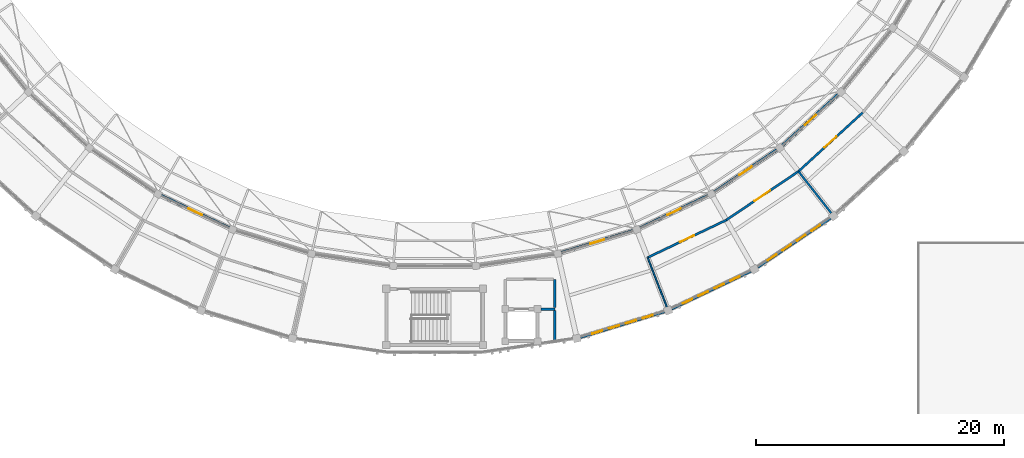
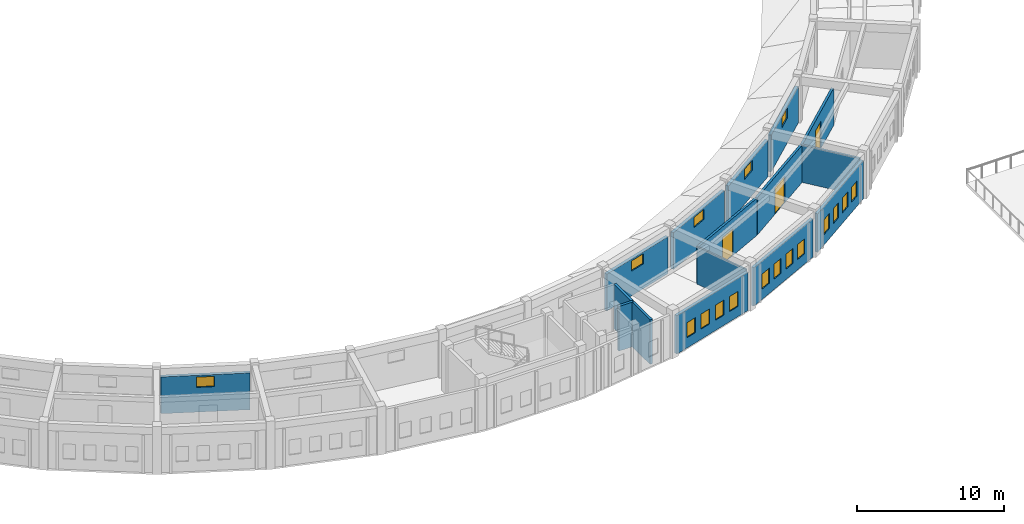
# One storey, part 81 of 112: 17 windows, 16 walls, 3 doors, 20 openings.
"""IFC4 building model written with IfcOpenShell, lengths in metres."""

from ifc_helpers import new_model, si_unit, direction, frame, frame_2d, origin, place, context, subcontext, project, spatial, rectangle, extrude, material, layer, layer_set, type_object, element, fill, save


model = new_model("IFC4")

# Units and contexts
model_context = context("Model", 3, precision=1e-05, world=origin(), true_north=direction((0.0, 1.0)))
body_context = subcontext(model_context, "Body", "Model", "MODEL_VIEW")
ifc_project = project(units=[si_unit("LENGTHUNIT", "METRE"), si_unit("AREAUNIT", "SQUARE_METRE"), si_unit("VOLUMEUNIT", "CUBIC_METRE"), si_unit("PLANEANGLEUNIT", "RADIAN"), si_unit("MASSUNIT", "GRAM", prefix="KILO")], contexts=[model_context])

# Site, building, storey
site_placement = place(None, origin())
site = spatial("IfcSite", under=ifc_project, at=site_placement, CompositionType="ELEMENT")
building_placement = place(site_placement, origin())
building = spatial("IfcBuilding", under=site, at=building_placement, Name="Celadon Cloister-Ring School", CompositionType="ELEMENT")
storey_placement = place(building_placement, frame((0.0, 0.0, 8.5)))
storey = spatial("IfcBuildingStorey", under=building, at=storey_placement, Name="L02", CompositionType="ELEMENT", Elevation=8.5)

# Wall, opening, window
ifc_material_1 = material(Name="Rendered concrete blockwork", Category="masonry")
ifc_layer_1 = layer(ifc_material_1, 0.239990234375)
ifc_layer_set_1 = layer_set([ifc_layer_1], Name="Rendered concrete blockwork")
wall_type_1 = type_object("IfcWallType", Name="WT-EX3", PredefinedType="SOLIDWALL", material=ifc_layer_set_1)
wall_1_placement = place(storey_placement, frame((64.93896484375, 19.802978515625, 0.0), z_axis=(0.0, 0.0, 1.0), x_axis=(0.90260559719, -0.430468507467, 0.0)))
wall_1 = element("IfcWall", 1, at=wall_1_placement, inside=storey, type_object=wall_type_1, Name="Exterior Wall 0131", PredefinedType="SOLIDWALL", context=body_context, shape_type="SweptSolid", body=[
    extrude(rectangle(XDim=6.093505859375, YDim=0.239990234375, at=frame_2d((3.046875, 0.0))), origin(), (0.0, 0.0, 1.0), 3.050048828125),
])
opening_1_placement = place(wall_1_placement, frame((2.447021484375, 0.0, 2.050048828125)))
opening_1 = element("IfcOpeningElement", 2, at=opening_1_placement, cuts=wall_1, Name="Opening WN-49", PredefinedType="OPENING", context=body_context, shape_type="SweptSolid", body=[
    extrude(rectangle(XDim=1.199951171875, YDim=0.85009765625, at=frame_2d((0.60009765625, 0.425048828125))), frame((0.0, 0.1298828125, 0.0), z_axis=(0.0, -1.0, 0.0), x_axis=(1.0, 0.0, 0.0)), (0.0, 0.0, 1.0), 0.260009765625),
])
ifc_material_2 = material(Name="Tempered laminated insulating glass", Category="glass")
window_type_1 = type_object("IfcWindowType", Name="WN-49", PartitioningType="SINGLE_PANEL", PredefinedType="WINDOW", material=ifc_material_2)
window_1_placement = place(opening_1_placement, origin())
window_1 = element("IfcWindow", 3, at=window_1_placement, inside=storey, type_object=window_type_1, Name="Window 0345", OverallHeight=0.85009765625, OverallWidth=1.199951171875, PartitioningType="SINGLE_PANEL", PredefinedType="WINDOW", context=body_context, shape_type="SweptSolid", body=[
    extrude(rectangle(XDim=1.199951171875, YDim=0.85009765625, at=frame_2d((0.60009765625, 0.425048828125))), frame((0.0, 0.030029296875, 0.0), z_axis=(0.0, -1.0, 0.0), x_axis=(1.0, 0.0, 0.0)), (0.0, 0.0, 1.0), 0.06005859375),
])
fill(opening_1, window_1)

wall_2_placement = place(storey_placement, frame((97.200927734375, 15.193115234375, 0.0), z_axis=(0.0, 0.0, 1.0), x_axis=(0.956385158861, 0.292108589245, 0.0)))
wall_2 = element("IfcWall", 4, at=wall_2_placement, inside=storey, type_object=wall_type_1, Name="Exterior Wall 0141", PredefinedType="SOLIDWALL", context=body_context, shape_type="SweptSolid", body=[
    extrude(rectangle(XDim=6.0927734375, YDim=0.239990234375, at=frame_2d((3.04638671875, 0.0))), origin(), (0.0, 0.0, 1.0), 3.050048828125),
])
opening_2_placement = place(wall_2_placement, frame((2.446044921875, 0.0, 2.050048828125)))
opening_2 = element("IfcOpeningElement", 5, at=opening_2_placement, cuts=wall_2, Name="Opening WN-49", PredefinedType="OPENING", context=body_context, shape_type="SweptSolid", body=[
    extrude(rectangle(XDim=1.199951171875, YDim=0.85009765625, at=frame_2d((0.60009765625, 0.425048828125))), frame((0.0, 0.1298828125, 0.0), z_axis=(0.0, -1.0, 0.0), x_axis=(1.0, 0.0, 0.0)), (0.0, 0.0, 1.0), 0.260009765625),
])
window_2_placement = place(opening_2_placement, origin())
window_2 = element("IfcWindow", 6, at=window_2_placement, inside=storey, type_object=window_type_1, Name="Window 0368", OverallHeight=0.85009765625, OverallWidth=1.199951171875, PartitioningType="SINGLE_PANEL", PredefinedType="WINDOW", context=body_context, shape_type="SweptSolid", body=[
    extrude(rectangle(XDim=1.199951171875, YDim=0.85009765625, at=frame_2d((0.60009765625, 0.425048828125))), frame((0.0, 0.030029296875, 0.0), z_axis=(0.0, -1.0, 0.0), x_axis=(1.0, 0.0, 0.0)), (0.0, 0.0, 1.0), 0.06005859375),
])
fill(opening_2, window_2)

wall_3_placement = place(storey_placement, frame((103.56103515625, 17.179931640625, 0.0), z_axis=(0.0, 0.0, 1.0), x_axis=(0.90260559719, 0.430468507467, 0.0)))
wall_3 = element("IfcWall", 7, at=wall_3_placement, inside=storey, type_object=wall_type_1, Name="Exterior Wall 0143", PredefinedType="SOLIDWALL", context=body_context, shape_type="SweptSolid", body=[
    extrude(rectangle(XDim=6.093505859375, YDim=0.239990234375, at=frame_2d((3.046875, 0.0))), origin(), (0.0, 0.0, 1.0), 3.050048828125),
])
opening_3_placement = place(wall_3_placement, frame((2.447021484375, 0.0, 2.050048828125)))
opening_3 = element("IfcOpeningElement", 8, at=opening_3_placement, cuts=wall_3, Name="Opening WN-49", PredefinedType="OPENING", context=body_context, shape_type="SweptSolid", body=[
    extrude(rectangle(XDim=1.199951171875, YDim=0.85009765625, at=frame_2d((0.60009765625, 0.425048828125))), frame((0.0, 0.1298828125, 0.0), z_axis=(0.0, -1.0, 0.0), x_axis=(1.0, 0.0, 0.0)), (0.0, 0.0, 1.0), 0.260009765625),
])
window_3_placement = place(opening_3_placement, origin())
window_3 = element("IfcWindow", 9, at=window_3_placement, inside=storey, type_object=window_type_1, Name="Window 0373", OverallHeight=0.85009765625, OverallWidth=1.199951171875, PartitioningType="SINGLE_PANEL", PredefinedType="WINDOW", context=body_context, shape_type="SweptSolid", body=[
    extrude(rectangle(XDim=1.199951171875, YDim=0.85009765625, at=frame_2d((0.60009765625, 0.425048828125))), frame((0.0, 0.030029296875, 0.0), z_axis=(0.0, -1.0, 0.0), x_axis=(1.0, 0.0, 0.0)), (0.0, 0.0, 1.0), 0.06005859375),
])
fill(opening_3, window_3)

wall_4_placement = place(storey_placement, frame((109.55810546875, 20.0859375, 0.0), z_axis=(0.0, 0.0, 1.0), x_axis=(0.829160241858, 0.559010995707, 0.0)))
wall_4 = element("IfcWall", 10, at=wall_4_placement, inside=storey, type_object=wall_type_1, Name="Exterior Wall 0145", PredefinedType="SOLIDWALL", context=body_context, shape_type="SweptSolid", body=[
    extrude(rectangle(XDim=6.093017578125, YDim=0.239990234375, at=frame_2d((3.04638671875, 0.0))), origin(), (0.0, 0.0, 1.0), 3.050048828125),
])
opening_4_placement = place(wall_4_placement, frame((2.446044921875, 0.0, 2.050048828125)))
opening_4 = element("IfcOpeningElement", 11, at=opening_4_placement, cuts=wall_4, Name="Opening WN-49", PredefinedType="OPENING", context=body_context, shape_type="SweptSolid", body=[
    extrude(rectangle(XDim=1.199951171875, YDim=0.85009765625, at=frame_2d((0.60009765625, 0.425048828125))), frame((0.0, 0.1298828125, 0.0), z_axis=(0.0, -1.0, 0.0), x_axis=(1.0, 0.0, 0.0)), (0.0, 0.0, 1.0), 0.260009765625),
])
window_4_placement = place(opening_4_placement, origin())
window_4 = element("IfcWindow", 12, at=window_4_placement, inside=storey, type_object=window_type_1, Name="Window 0378", OverallHeight=0.85009765625, OverallWidth=1.199951171875, PartitioningType="SINGLE_PANEL", PredefinedType="WINDOW", context=body_context, shape_type="SweptSolid", body=[
    extrude(rectangle(XDim=1.199951171875, YDim=0.85009765625, at=frame_2d((0.60009765625, 0.425048828125))), frame((0.0, 0.030029296875, 0.0), z_axis=(0.0, -1.0, 0.0), x_axis=(1.0, 0.0, 0.0)), (0.0, 0.0, 1.0), 0.06005859375),
])
fill(opening_4, window_4)

wall_5_placement = place(storey_placement, frame((115.05908203125, 23.845947265625, 0.0), z_axis=(0.0, 0.0, 1.0), x_axis=(0.737667839015, 0.675163801816, 0.0)))
wall_5 = element("IfcWall", 13, at=wall_5_placement, inside=storey, type_object=wall_type_1, Name="Exterior Wall 0147", PredefinedType="SOLIDWALL", context=body_context, shape_type="SweptSolid", body=[
    extrude(rectangle(XDim=6.09326171875, YDim=0.239990234375, at=frame_2d((3.046630859375, 0.0))), origin(), (0.0, 0.0, 1.0), 3.050048828125),
])
opening_5_placement = place(wall_5_placement, frame((2.447021484375, 0.0, 2.050048828125)))
opening_5 = element("IfcOpeningElement", 14, at=opening_5_placement, cuts=wall_5, Name="Opening WN-49", PredefinedType="OPENING", context=body_context, shape_type="SweptSolid", body=[
    extrude(rectangle(XDim=1.199951171875, YDim=0.85009765625, at=frame_2d((0.60009765625, 0.425048828125))), frame((0.0, 0.1298828125, 0.0), z_axis=(0.0, -1.0, 0.0), x_axis=(1.0, 0.0, 0.0)), (0.0, 0.0, 1.0), 0.260009765625),
])
window_5_placement = place(opening_5_placement, origin())
window_5 = element("IfcWindow", 15, at=window_5_placement, inside=storey, type_object=window_type_1, Name="Window 0383", OverallHeight=0.85009765625, OverallWidth=1.199951171875, PartitioningType="SINGLE_PANEL", PredefinedType="WINDOW", context=body_context, shape_type="SweptSolid", body=[
    extrude(rectangle(XDim=1.199951171875, YDim=0.85009765625, at=frame_2d((0.60009765625, 0.425048828125))), frame((0.0, 0.030029296875, 0.0), z_axis=(0.0, -1.0, 0.0), x_axis=(1.0, 0.0, 0.0)), (0.0, 0.0, 1.0), 0.06005859375),
])
fill(opening_5, window_5)

# Wall, openings, windows
ifc_material_3 = material(Name="Perforated terracotta clay brick masonry", Category="masonry")
ifc_layer_2 = layer(ifc_material_3, 0.219970703125)
ifc_layer_set_2 = layer_set([ifc_layer_2], Name="Perforated terracotta clay brick masonry")
wall_type_2 = type_object("IfcWallType", Name="WT-EX4", PredefinedType="SOLIDWALL", material=ifc_layer_set_2)
wall_6_placement = place(storey_placement, frame((105.541015625, 10.44091796875, 0.0), z_axis=(0.0, 0.0, 1.0), x_axis=(-0.956377793717, -0.292132702183, 0.0)))
wall_6 = element("IfcWall", 16, at=wall_6_placement, inside=storey, type_object=wall_type_2, Name="Exterior Wall 0140", PredefinedType="SOLIDWALL", context=body_context, shape_type="SweptSolid", body=[
    extrude(rectangle(XDim=7.081787109375, YDim=0.219970703125, at=frame_2d((3.541015625, 0.0))), origin(), (0.0, 0.0, 1.0), 3.19189453125),
])
opening_6_placement = place(wall_6_placement, frame((0.990966796875, 0.0, 0.85009765625)))
opening_6 = element("IfcOpeningElement", 17, at=opening_6_placement, cuts=wall_6, Name="Opening WN-11", PredefinedType="OPENING", context=body_context, shape_type="SweptSolid", body=[
    extrude(rectangle(XDim=0.85009765625, YDim=1.25, at=frame_2d((0.425048828125, 0.625))), frame((0.0, 0.1201171875, 0.0), z_axis=(0.0, -1.0, 0.0), x_axis=(1.0, 0.0, 0.0)), (0.0, 0.0, 1.0), 0.239990234375),
])
opening_7_placement = place(wall_6_placement, frame((2.407958984375, 0.0, 0.85009765625)))
opening_7 = element("IfcOpeningElement", 18, at=opening_7_placement, cuts=wall_6, Name="Opening WN-11", PredefinedType="OPENING", context=body_context, shape_type="SweptSolid", body=[
    extrude(rectangle(XDim=0.85009765625, YDim=1.25, at=frame_2d((0.425048828125, 0.625))), frame((0.0, 0.1201171875, 0.0), z_axis=(0.0, -1.0, 0.0), x_axis=(1.0, 0.0, 0.0)), (0.0, 0.0, 1.0), 0.239990234375),
])
opening_8_placement = place(wall_6_placement, frame((3.823974609375, 0.0, 0.85009765625)))
opening_8 = element("IfcOpeningElement", 19, at=opening_8_placement, cuts=wall_6, Name="Opening WN-11", PredefinedType="OPENING", context=body_context, shape_type="SweptSolid", body=[
    extrude(rectangle(XDim=0.85009765625, YDim=1.25, at=frame_2d((0.425048828125, 0.625))), frame((0.0, 0.1201171875, 0.0), z_axis=(0.0, -1.0, 0.0), x_axis=(1.0, 0.0, 0.0)), (0.0, 0.0, 1.0), 0.239990234375),
])
opening_9_placement = place(wall_6_placement, frame((5.240966796875, 0.0, 0.85009765625)))
opening_9 = element("IfcOpeningElement", 20, at=opening_9_placement, cuts=wall_6, Name="Opening WN-11", PredefinedType="OPENING", context=body_context, shape_type="SweptSolid", body=[
    extrude(rectangle(XDim=0.85009765625, YDim=1.25, at=frame_2d((0.425048828125, 0.625))), frame((0.0, 0.1201171875, 0.0), z_axis=(0.0, -1.0, 0.0), x_axis=(1.0, 0.0, 0.0)), (0.0, 0.0, 1.0), 0.239990234375),
])
ifc_material_4 = material(Name="Tempered laminated insulating glass", Category="glass")
window_type_2 = type_object("IfcWindowType", Name="WN-11", PartitioningType="SINGLE_PANEL", PredefinedType="WINDOW", material=ifc_material_4)
window_6_placement = place(opening_6_placement, origin())
window_6 = element("IfcWindow", 21, at=window_6_placement, inside=storey, type_object=window_type_2, Name="Window 0364", OverallHeight=1.25, OverallWidth=0.85009765625, PartitioningType="SINGLE_PANEL", PredefinedType="WINDOW", context=body_context, shape_type="SweptSolid", body=[
    extrude(rectangle(XDim=0.85009765625, YDim=1.25, at=frame_2d((0.425048828125, 0.625))), frame((0.0, 0.030029296875, 0.0), z_axis=(0.0, -1.0, 0.0), x_axis=(1.0, 0.0, 0.0)), (0.0, 0.0, 1.0), 0.06005859375),
])
fill(opening_6, window_6)
window_7_placement = place(opening_7_placement, origin())
window_7 = element("IfcWindow", 22, at=window_7_placement, inside=storey, type_object=window_type_2, Name="Window 0365", OverallHeight=1.25, OverallWidth=0.85009765625, PartitioningType="SINGLE_PANEL", PredefinedType="WINDOW", context=body_context, shape_type="SweptSolid", body=[
    extrude(rectangle(XDim=0.85009765625, YDim=1.25, at=frame_2d((0.425048828125, 0.625))), frame((0.0, 0.030029296875, 0.0), z_axis=(0.0, -1.0, 0.0), x_axis=(1.0, 0.0, 0.0)), (0.0, 0.0, 1.0), 0.06005859375),
])
fill(opening_7, window_7)
window_8_placement = place(opening_8_placement, origin())
window_8 = element("IfcWindow", 23, at=window_8_placement, inside=storey, type_object=window_type_2, Name="Window 0366", OverallHeight=1.25, OverallWidth=0.85009765625, PartitioningType="SINGLE_PANEL", PredefinedType="WINDOW", context=body_context, shape_type="SweptSolid", body=[
    extrude(rectangle(XDim=0.85009765625, YDim=1.25, at=frame_2d((0.425048828125, 0.625))), frame((0.0, 0.030029296875, 0.0), z_axis=(0.0, -1.0, 0.0), x_axis=(1.0, 0.0, 0.0)), (0.0, 0.0, 1.0), 0.06005859375),
])
fill(opening_8, window_8)
window_9_placement = place(opening_9_placement, origin())
window_9 = element("IfcWindow", 24, at=window_9_placement, inside=storey, type_object=window_type_2, Name="Window 0367", OverallHeight=1.25, OverallWidth=0.85009765625, PartitioningType="SINGLE_PANEL", PredefinedType="WINDOW", context=body_context, shape_type="SweptSolid", body=[
    extrude(rectangle(XDim=0.85009765625, YDim=1.25, at=frame_2d((0.425048828125, 0.625))), frame((0.0, 0.030029296875, 0.0), z_axis=(0.0, -1.0, 0.0), x_axis=(1.0, 0.0, 0.0)), (0.0, 0.0, 1.0), 0.06005859375),
])
fill(opening_9, window_9)

wall_7_placement = place(storey_placement, frame((112.510986328125, 13.712890625, 0.0), z_axis=(0.0, 0.0, 1.0), x_axis=(-0.902694754948, -0.430281511792, 0.0)))
wall_7 = element("IfcWall", 25, at=wall_7_placement, inside=storey, type_object=wall_type_2, Name="Exterior Wall 0142", PredefinedType="SOLIDWALL", context=body_context, shape_type="SweptSolid", body=[
    extrude(rectangle(XDim=7.0810546875, YDim=0.219970703125, at=frame_2d((3.54052734375, 0.0))), origin(), (0.0, 0.0, 1.0), 3.19189453125),
])
opening_10_placement = place(wall_7_placement, frame((0.990966796875, 0.0, 0.85009765625)))
opening_10 = element("IfcOpeningElement", 26, at=opening_10_placement, cuts=wall_7, Name="Opening WN-11", PredefinedType="OPENING", context=body_context, shape_type="SweptSolid", body=[
    extrude(rectangle(XDim=0.85009765625, YDim=1.25, at=frame_2d((0.425048828125, 0.625))), frame((0.0, 0.1201171875, 0.0), z_axis=(0.0, -1.0, 0.0), x_axis=(1.0, 0.0, 0.0)), (0.0, 0.0, 1.0), 0.239990234375),
])
opening_11_placement = place(wall_7_placement, frame((2.406982421875, 0.0, 0.85009765625)))
opening_11 = element("IfcOpeningElement", 27, at=opening_11_placement, cuts=wall_7, Name="Opening WN-11", PredefinedType="OPENING", context=body_context, shape_type="SweptSolid", body=[
    extrude(rectangle(XDim=0.85009765625, YDim=1.25, at=frame_2d((0.425048828125, 0.625))), frame((0.0, 0.1201171875, 0.0), z_axis=(0.0, -1.0, 0.0), x_axis=(1.0, 0.0, 0.0)), (0.0, 0.0, 1.0), 0.239990234375),
])
opening_12_placement = place(wall_7_placement, frame((3.823974609375, 0.0, 0.85009765625)))
opening_12 = element("IfcOpeningElement", 28, at=opening_12_placement, cuts=wall_7, Name="Opening WN-11", PredefinedType="OPENING", context=body_context, shape_type="SweptSolid", body=[
    extrude(rectangle(XDim=0.85009765625, YDim=1.25, at=frame_2d((0.425048828125, 0.625))), frame((0.0, 0.1201171875, 0.0), z_axis=(0.0, -1.0, 0.0), x_axis=(1.0, 0.0, 0.0)), (0.0, 0.0, 1.0), 0.239990234375),
])
opening_13_placement = place(wall_7_placement, frame((5.239990234375, 0.0, 0.85009765625)))
opening_13 = element("IfcOpeningElement", 29, at=opening_13_placement, cuts=wall_7, Name="Opening WN-11", PredefinedType="OPENING", context=body_context, shape_type="SweptSolid", body=[
    extrude(rectangle(XDim=0.85009765625, YDim=1.25, at=frame_2d((0.425048828125, 0.625))), frame((0.0, 0.1201171875, 0.0), z_axis=(0.0, -1.0, 0.0), x_axis=(1.0, 0.0, 0.0)), (0.0, 0.0, 1.0), 0.239990234375),
])
window_10_placement = place(opening_10_placement, origin())
window_10 = element("IfcWindow", 30, at=window_10_placement, inside=storey, type_object=window_type_2, Name="Window 0369", OverallHeight=1.25, OverallWidth=0.85009765625, PartitioningType="SINGLE_PANEL", PredefinedType="WINDOW", context=body_context, shape_type="SweptSolid", body=[
    extrude(rectangle(XDim=0.85009765625, YDim=1.25, at=frame_2d((0.425048828125, 0.625))), frame((0.0, 0.030029296875, 0.0), z_axis=(0.0, -1.0, 0.0), x_axis=(1.0, 0.0, 0.0)), (0.0, 0.0, 1.0), 0.06005859375),
])
fill(opening_10, window_10)
window_11_placement = place(opening_11_placement, origin())
window_11 = element("IfcWindow", 31, at=window_11_placement, inside=storey, type_object=window_type_2, Name="Window 0370", OverallHeight=1.25, OverallWidth=0.85009765625, PartitioningType="SINGLE_PANEL", PredefinedType="WINDOW", context=body_context, shape_type="SweptSolid", body=[
    extrude(rectangle(XDim=0.85009765625, YDim=1.25, at=frame_2d((0.425048828125, 0.625))), frame((0.0, 0.030029296875, 0.0), z_axis=(0.0, -1.0, 0.0), x_axis=(1.0, 0.0, 0.0)), (0.0, 0.0, 1.0), 0.06005859375),
])
fill(opening_11, window_11)
window_12_placement = place(opening_12_placement, origin())
window_12 = element("IfcWindow", 32, at=window_12_placement, inside=storey, type_object=window_type_2, Name="Window 0371", OverallHeight=1.25, OverallWidth=0.85009765625, PartitioningType="SINGLE_PANEL", PredefinedType="WINDOW", context=body_context, shape_type="SweptSolid", body=[
    extrude(rectangle(XDim=0.85009765625, YDim=1.25, at=frame_2d((0.425048828125, 0.625))), frame((0.0, 0.030029296875, 0.0), z_axis=(0.0, -1.0, 0.0), x_axis=(1.0, 0.0, 0.0)), (0.0, 0.0, 1.0), 0.06005859375),
])
fill(opening_12, window_12)
window_13_placement = place(opening_13_placement, origin())
window_13 = element("IfcWindow", 33, at=window_13_placement, inside=storey, type_object=window_type_2, Name="Window 0372", OverallHeight=1.25, OverallWidth=0.85009765625, PartitioningType="SINGLE_PANEL", PredefinedType="WINDOW", context=body_context, shape_type="SweptSolid", body=[
    extrude(rectangle(XDim=0.85009765625, YDim=1.25, at=frame_2d((0.425048828125, 0.625))), frame((0.0, 0.030029296875, 0.0), z_axis=(0.0, -1.0, 0.0), x_axis=(1.0, 0.0, 0.0)), (0.0, 0.0, 1.0), 0.06005859375),
])
fill(opening_13, window_13)

wall_8_placement = place(storey_placement, frame((118.922119140625, 17.97900390625, 0.0), z_axis=(0.0, 0.0, 1.0), x_axis=(-0.829217797208, -0.558925616512, 0.0)))
wall_8 = element("IfcWall", 34, at=wall_8_placement, inside=storey, type_object=wall_type_2, Name="Exterior Wall 0144", PredefinedType="SOLIDWALL", context=body_context, shape_type="SweptSolid", body=[
    extrude(rectangle(XDim=7.08154296875, YDim=0.219970703125, at=frame_2d((3.540771484375, 0.0))), origin(), (0.0, 0.0, 1.0), 3.19189453125),
])
opening_14_placement = place(wall_8_placement, frame((0.990966796875, 0.0, 0.85009765625)))
opening_14 = element("IfcOpeningElement", 35, at=opening_14_placement, cuts=wall_8, Name="Opening WN-11", PredefinedType="OPENING", context=body_context, shape_type="SweptSolid", body=[
    extrude(rectangle(XDim=0.85009765625, YDim=1.25, at=frame_2d((0.425048828125, 0.625))), frame((0.0, 0.1201171875, 0.0), z_axis=(0.0, -1.0, 0.0), x_axis=(1.0, 0.0, 0.0)), (0.0, 0.0, 1.0), 0.239990234375),
])
opening_15_placement = place(wall_8_placement, frame((2.407958984375, 0.0, 0.85009765625)))
opening_15 = element("IfcOpeningElement", 36, at=opening_15_placement, cuts=wall_8, Name="Opening WN-11", PredefinedType="OPENING", context=body_context, shape_type="SweptSolid", body=[
    extrude(rectangle(XDim=0.85009765625, YDim=1.25, at=frame_2d((0.425048828125, 0.625))), frame((0.0, 0.1201171875, 0.0), z_axis=(0.0, -1.0, 0.0), x_axis=(1.0, 0.0, 0.0)), (0.0, 0.0, 1.0), 0.239990234375),
])
opening_16_placement = place(wall_8_placement, frame((3.823974609375, 0.0, 0.85009765625)))
opening_16 = element("IfcOpeningElement", 37, at=opening_16_placement, cuts=wall_8, Name="Opening WN-11", PredefinedType="OPENING", context=body_context, shape_type="SweptSolid", body=[
    extrude(rectangle(XDim=0.85009765625, YDim=1.25, at=frame_2d((0.425048828125, 0.625))), frame((0.0, 0.1201171875, 0.0), z_axis=(0.0, -1.0, 0.0), x_axis=(1.0, 0.0, 0.0)), (0.0, 0.0, 1.0), 0.239990234375),
])
opening_17_placement = place(wall_8_placement, frame((5.239990234375, 0.0, 0.85009765625)))
opening_17 = element("IfcOpeningElement", 38, at=opening_17_placement, cuts=wall_8, Name="Opening WN-11", PredefinedType="OPENING", context=body_context, shape_type="SweptSolid", body=[
    extrude(rectangle(XDim=0.85009765625, YDim=1.25, at=frame_2d((0.425048828125, 0.625))), frame((0.0, 0.1201171875, 0.0), z_axis=(0.0, -1.0, 0.0), x_axis=(1.0, 0.0, 0.0)), (0.0, 0.0, 1.0), 0.239990234375),
])
window_14_placement = place(opening_14_placement, origin())
window_14 = element("IfcWindow", 39, at=window_14_placement, inside=storey, type_object=window_type_2, Name="Window 0374", OverallHeight=1.25, OverallWidth=0.85009765625, PartitioningType="SINGLE_PANEL", PredefinedType="WINDOW", context=body_context, shape_type="SweptSolid", body=[
    extrude(rectangle(XDim=0.85009765625, YDim=1.25, at=frame_2d((0.425048828125, 0.625))), frame((0.0, 0.030029296875, 0.0), z_axis=(0.0, -1.0, 0.0), x_axis=(1.0, 0.0, 0.0)), (0.0, 0.0, 1.0), 0.06005859375),
])
fill(opening_14, window_14)
window_15_placement = place(opening_15_placement, origin())
window_15 = element("IfcWindow", 40, at=window_15_placement, inside=storey, type_object=window_type_2, Name="Window 0375", OverallHeight=1.25, OverallWidth=0.85009765625, PartitioningType="SINGLE_PANEL", PredefinedType="WINDOW", context=body_context, shape_type="SweptSolid", body=[
    extrude(rectangle(XDim=0.85009765625, YDim=1.25, at=frame_2d((0.425048828125, 0.625))), frame((0.0, 0.030029296875, 0.0), z_axis=(0.0, -1.0, 0.0), x_axis=(1.0, 0.0, 0.0)), (0.0, 0.0, 1.0), 0.06005859375),
])
fill(opening_15, window_15)
window_16_placement = place(opening_16_placement, origin())
window_16 = element("IfcWindow", 41, at=window_16_placement, inside=storey, type_object=window_type_2, Name="Window 0376", OverallHeight=1.25, OverallWidth=0.85009765625, PartitioningType="SINGLE_PANEL", PredefinedType="WINDOW", context=body_context, shape_type="SweptSolid", body=[
    extrude(rectangle(XDim=0.85009765625, YDim=1.25, at=frame_2d((0.425048828125, 0.625))), frame((0.0, 0.030029296875, 0.0), z_axis=(0.0, -1.0, 0.0), x_axis=(1.0, 0.0, 0.0)), (0.0, 0.0, 1.0), 0.06005859375),
])
fill(opening_16, window_16)
window_17_placement = place(opening_17_placement, origin())
window_17 = element("IfcWindow", 42, at=window_17_placement, inside=storey, type_object=window_type_2, Name="Window 0377", OverallHeight=1.25, OverallWidth=0.85009765625, PartitioningType="SINGLE_PANEL", PredefinedType="WINDOW", context=body_context, shape_type="SweptSolid", body=[
    extrude(rectangle(XDim=0.85009765625, YDim=1.25, at=frame_2d((0.425048828125, 0.625))), frame((0.0, 0.030029296875, 0.0), z_axis=(0.0, -1.0, 0.0), x_axis=(1.0, 0.0, 0.0)), (0.0, 0.0, 1.0), 0.06005859375),
])
fill(opening_17, window_17)

# Walls
ifc_material_5 = material(Name="Plastered hollow concrete masonry", Category="masonry")
ifc_layer_3 = layer(ifc_material_5, 0.199951171875)
ifc_layer_set_3 = layer_set([ifc_layer_3], Name="Plastered hollow concrete masonry")
wall_type_3 = type_object("IfcWallType", Name="WT-PT1", PredefinedType="PARTITIONING", material=ifc_layer_set_3)
wall_9_placement = place(storey_placement, frame((95.56689453125, 10.64990234375, 0.0), z_axis=(0.0, 0.0, 1.0), x_axis=(1.0, 0.0, 0.0)))
element("IfcWall", 43, at=wall_9_placement, inside=storey, type_object=wall_type_3, Name="Interior Wall 0322", PredefinedType="PARTITIONING", context=body_context, shape_type="SweptSolid", body=[
    extrude(rectangle(XDim=1.133056640625, YDim=0.199951171875, at=frame_2d((0.56640625, 0.0))), origin(), (0.0, 0.0, 1.0), 3.699951171875),
])
wall_10_placement = place(storey_placement, frame((96.699951171875, 8.131103515625, 0.0), z_axis=(0.0, 0.0, 1.0), x_axis=(0.0, 1.0, 0.0)))
element("IfcWall", 44, at=wall_10_placement, inside=storey, type_object=wall_type_3, Name="Interior Wall 0323", PredefinedType="PARTITIONING", context=body_context, shape_type="SweptSolid", body=[
    extrude(rectangle(XDim=2.416015625, YDim=0.199951171875, at=frame_2d((1.2080078125, 0.0))), origin(), (0.0, 0.0, 1.0), 3.699951171875),
])
wall_11_placement = place(storey_placement, frame((96.699951171875, 10.7529296875, 0.0), z_axis=(0.0, 0.0, 1.0), x_axis=(0.0, 1.0, 0.0)))
element("IfcWall", 45, at=wall_11_placement, inside=storey, type_object=wall_type_3, Name="Interior Wall 0324", PredefinedType="PARTITIONING", context=body_context, shape_type="SweptSolid", body=[
    extrude(rectangle(XDim=2.297119140625, YDim=0.199951171875, at=frame_2d((1.1484375, 0.0))), origin(), (0.0, 0.0, 1.0), 3.699951171875),
])

# Wall, opening, door
ifc_material_6 = material(Name="Plastered hollow concrete masonry", Category="masonry")
ifc_layer_4 = layer(ifc_material_6, 0.179931640625)
ifc_layer_set_4 = layer_set([ifc_layer_4], Name="Plastered hollow concrete masonry")
wall_type_4 = type_object("IfcWallType", Name="WT-PT2", PredefinedType="PARTITIONING", material=ifc_layer_set_4)
wall_12_placement = place(storey_placement, frame((104.178955078125, 14.801025390625, 0.0), z_axis=(0.0, 0.0, 1.0), x_axis=(0.90269858831, 0.430273469625, 0.0)))
wall_12 = element("IfcWall", 46, at=wall_12_placement, inside=storey, type_object=wall_type_4, Name="Interior Wall 0576", PredefinedType="PARTITIONING", context=body_context, shape_type="SweptSolid", body=[
    extrude(rectangle(XDim=7.025634765625, YDim=0.179931640625, at=frame_2d((3.5126953125, 0.0))), origin(), (0.0, 0.0, 1.0), 3.092041015625),
])
opening_18_placement = place(wall_12_placement, frame((2.887939453125, 0.0, 0.0)))
opening_18 = element("IfcOpeningElement", 47, at=opening_18_placement, cuts=wall_12, Name="Opening D-0191", PredefinedType="OPENING", context=body_context, shape_type="SweptSolid", body=[
    extrude(rectangle(XDim=1.25, YDim=2.199951171875, at=frame_2d((0.625, 1.10009765625))), frame((0.0, 0.10009765625, 0.0), z_axis=(0.0, -1.0, 0.0), x_axis=(1.0, 0.0, 0.0)), (0.0, 0.0, 1.0), 0.199951171875),
])
ifc_material_7 = material(Name="Galvanised fire-rated hollow steel leaf", Category="steel")
door_type_1 = type_object("IfcDoorType", Name="DT-10", OperationType="NOTDEFINED", PredefinedType="DOOR", material=ifc_material_7)
door_1_placement = place(opening_18_placement, origin())
door_1 = element("IfcDoor", 48, at=door_1_placement, inside=storey, type_object=door_type_1, Name="Door D-0191", OperationType="SINGLE_SWING_LEFT", OverallHeight=2.199951171875, OverallWidth=1.25, PredefinedType="DOOR", context=body_context, shape_type="SweptSolid", body=[
    extrude(rectangle(XDim=1.25, YDim=2.199951171875, at=frame_2d((0.625, 1.10009765625))), frame((0.0, 0.02490234375, 0.0), z_axis=(0.0, -1.0, 0.0), x_axis=(1.0, 0.0, 0.0)), (0.0, 0.0, 1.0), 0.050048828125),
])
fill(opening_18, door_1)

wall_13_placement = place(storey_placement, frame((110.52099609375, 17.823974609375, 0.0), z_axis=(0.0, 0.0, 1.0), x_axis=(0.829168029301, 0.558999444709, 0.0)))
wall_13 = element("IfcWall", 49, at=wall_13_placement, inside=storey, type_object=wall_type_4, Name="Interior Wall 0577", PredefinedType="PARTITIONING", context=body_context, shape_type="SweptSolid", body=[
    extrude(rectangle(XDim=7.025146484375, YDim=0.179931640625, at=frame_2d((3.5126953125, 0.0))), origin(), (0.0, 0.0, 1.0), 3.092041015625),
])
opening_19_placement = place(wall_13_placement, frame((2.738037109375, 0.0, 0.0)))
opening_19 = element("IfcOpeningElement", 50, at=opening_19_placement, cuts=wall_13, Name="Opening D-0192", PredefinedType="OPENING", context=body_context, shape_type="SweptSolid", body=[
    extrude(rectangle(XDim=1.550048828125, YDim=2.199951171875, at=frame_2d((0.77490234375, 1.10009765625))), frame((0.0, 0.10009765625, 0.0), z_axis=(0.0, -1.0, 0.0), x_axis=(1.0, 0.0, 0.0)), (0.0, 0.0, 1.0), 0.199951171875),
])
ifc_material_8 = material(Name="Galvanised fire-rated hollow steel leaf", Category="steel")
door_type_2 = type_object("IfcDoorType", Name="DT-13", OperationType="NOTDEFINED", PredefinedType="DOOR", material=ifc_material_8)
door_2_placement = place(opening_19_placement, origin())
door_2 = element("IfcDoor", 51, at=door_2_placement, inside=storey, type_object=door_type_2, Name="Door D-0192", OperationType="SINGLE_SWING_RIGHT", OverallHeight=2.199951171875, OverallWidth=1.550048828125, PredefinedType="DOOR", context=body_context, shape_type="SweptSolid", body=[
    extrude(rectangle(XDim=1.550048828125, YDim=2.199951171875, at=frame_2d((0.77490234375, 1.10009765625))), frame((0.0, 0.02490234375, 0.0), z_axis=(0.0, -1.0, 0.0), x_axis=(1.0, 0.0, 0.0)), (0.0, 0.0, 1.0), 0.050048828125),
])
fill(opening_19, door_2)

wall_14_placement = place(storey_placement, frame((116.345947265625, 21.7509765625, 0.0), z_axis=(0.0, 0.0, 1.0), x_axis=(0.737526212357, 0.67531850714, 0.0)))
wall_14 = element("IfcWall", 52, at=wall_14_placement, inside=storey, type_object=wall_type_4, Name="Interior Wall 0578", PredefinedType="PARTITIONING", context=body_context, shape_type="SweptSolid", body=[
    extrude(rectangle(XDim=7.025146484375, YDim=0.179931640625, at=frame_2d((3.5126953125, 0.0))), origin(), (0.0, 0.0, 1.0), 3.092041015625),
])
opening_20_placement = place(wall_14_placement, frame((2.862060546875, 0.0, 0.0)))
opening_20 = element("IfcOpeningElement", 53, at=opening_20_placement, cuts=wall_14, Name="Opening D-0193", PredefinedType="OPENING", context=body_context, shape_type="SweptSolid", body=[
    extrude(rectangle(XDim=1.300048828125, YDim=2.280029296875, at=frame_2d((0.64990234375, 1.14013671875))), frame((0.0, 0.10009765625, 0.0), z_axis=(0.0, -1.0, 0.0), x_axis=(1.0, 0.0, 0.0)), (0.0, 0.0, 1.0), 0.199951171875),
])
ifc_material_9 = material(Name="Galvanised fire-rated hollow steel leaf", Category="steel")
door_type_3 = type_object("IfcDoorType", Name="DT-16", OperationType="NOTDEFINED", PredefinedType="DOOR", material=ifc_material_9)
door_3_placement = place(opening_20_placement, origin())
door_3 = element("IfcDoor", 54, at=door_3_placement, inside=storey, type_object=door_type_3, Name="Door D-0193", OperationType="SINGLE_SWING_LEFT", OverallHeight=2.280029296875, OverallWidth=1.300048828125, PredefinedType="DOOR", context=body_context, shape_type="SweptSolid", body=[
    extrude(rectangle(XDim=1.300048828125, YDim=2.280029296875, at=frame_2d((0.64990234375, 1.14013671875))), frame((0.0, 0.02490234375, 0.0), z_axis=(0.0, -1.0, 0.0), x_axis=(1.0, 0.0, 0.0)), (0.0, 0.0, 1.0), 0.050048828125),
])
fill(opening_20, door_3)

# Walls
ifc_material_10 = material(Name="Plastered hollow concrete masonry", Category="masonry")
ifc_layer_5 = layer(ifc_material_10, 0.159912109375)
ifc_layer_set_5 = layer_set([ifc_layer_5], Name="Plastered hollow concrete masonry")
wall_type_5 = type_object("IfcWallType", Name="WT-PT3", PredefinedType="PARTITIONING", material=ifc_layer_set_5)
wall_15_placement = place(storey_placement, frame((116.345947265625, 21.7509765625, 0.0), z_axis=(0.0, 0.0, 1.0), x_axis=(0.618698700761, -0.785628358498, 0.0)))
element("IfcWall", 55, at=wall_15_placement, inside=storey, type_object=wall_type_5, Name="Interior Wall 0548", PredefinedType="PARTITIONING", context=body_context, shape_type="SweptSolid", body=[
    extrude(rectangle(XDim=4.2880859375, YDim=0.159912109375, at=frame_2d((2.14404296875, 0.0))), origin(), (0.0, 0.0, 1.0), 3.092041015625),
])
ifc_material_11 = material(Name="Acoustic mineral-wool drywall partition")
ifc_layer_6 = layer(ifc_material_11, 0.1201171875)
ifc_layer_set_6 = layer_set([ifc_layer_6], Name="Acoustic mineral-wool drywall partition")
wall_type_6 = type_object("IfcWallType", Name="WT-PT5", PredefinedType="PARTITIONING", material=ifc_layer_set_6)
wall_16_placement = place(storey_placement, frame((104.178955078125, 14.801025390625, 0.0), z_axis=(0.0, 0.0, 1.0), x_axis=(0.362155011762, -0.932117882811, 0.0)))
element("IfcWall", 56, at=wall_16_placement, inside=storey, type_object=wall_type_6, Name="Interior Wall 0547", PredefinedType="PARTITIONING", context=body_context, shape_type="SweptSolid", body=[
    extrude(rectangle(XDim=4.2880859375, YDim=0.1201171875, at=frame_2d((2.14404296875, 0.0))), origin(), (0.0, 0.0, 1.0), 3.092041015625),
])

save(model, "model.ifc")
